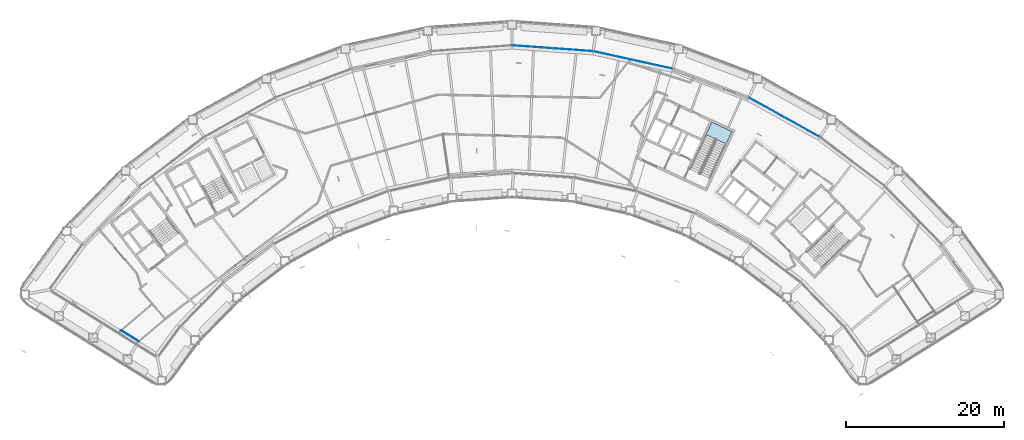
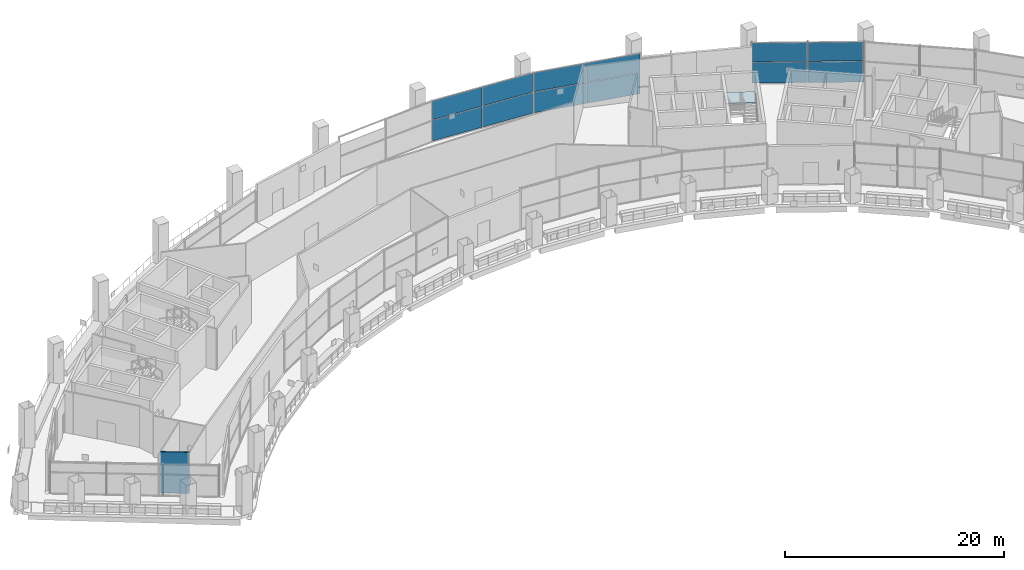
# One storey, part 15 of 28: 12 plates, 1 slab, 1 wall, 4 elements without a shape of their own.
"""IFC4 building model written with IfcOpenShell, lengths in metres."""

from ifc_helpers import new_model, si_unit, direction, frame, frame_2d, origin, origin_2d, place, context, subcontext, project, spatial, polyline, rectangle, outline, extrude, material, layer, layer_set, type_object, element, aggregate, save


model = new_model("IFC4")

# Units and contexts
model_context = context("Model", 3, precision=1e-05, world=origin(), true_north=direction((0.0, 1.0)))
body_context = subcontext(model_context, "Body", "Model", "MODEL_VIEW")
ifc_project = project(units=[si_unit("LENGTHUNIT", "METRE"), si_unit("AREAUNIT", "SQUARE_METRE"), si_unit("VOLUMEUNIT", "CUBIC_METRE"), si_unit("PLANEANGLEUNIT", "RADIAN"), si_unit("MASSUNIT", "GRAM", prefix="KILO")], contexts=[model_context])

# Site, building, storey
site_placement = place(None, origin())
site = spatial("IfcSite", under=ifc_project, at=site_placement, CompositionType="ELEMENT")
building_placement = place(site_placement, origin())
building = spatial("IfcBuilding", under=site, at=building_placement, Name="Tuul Gate Civic Tower", CompositionType="ELEMENT")
storey_placement = place(building_placement, frame((0.0, 0.0, 128.699951171875)))
storey = spatial("IfcBuildingStorey", under=building, at=storey_placement, Name="Sky garden level 1", CompositionType="ELEMENT", Elevation=128.699951171875)

# Curtain wall, plates
ifc_material_1 = material(Name="Aluminium", Category="aluminium")
ifc_layer_1 = layer(ifc_material_1, 0.199951171875)
ifc_layer_set_1 = layer_set([ifc_layer_1], Name="Aluminium")
curtain_wall_type = type_object("IfcCurtainWallType", Name="Curtain wall CW3", PredefinedType="NOTDEFINED", material=ifc_layer_set_1)
curtain_wall_1_placement = place(storey_placement, origin())
curtain_wall_1 = element("IfcCurtainWall", 1, at=curtain_wall_1_placement, inside=storey, type_object=curtain_wall_type, Name="Curtain wall CW3", PredefinedType="NOTDEFINED")
ifc_material_2 = material(Name="Insulated glass", Category="glass")
ifc_layer_2 = layer(ifc_material_2, 0.031982421875)
ifc_layer_set_2 = layer_set([ifc_layer_2], Name="Insulated glass")
plate_type = type_object("IfcPlateType", Name="CW3 panel", PredefinedType="CURTAIN_PANEL", material=ifc_layer_set_2)
plate_1_placement = place(storey_placement, frame((46.54052734375, 0.73681640625, 0.06005859375), z_axis=(0.0, 0.0, 1.0), x_axis=(-0.874610249079, 0.484826682646, 0.0)))
plate_1 = element("IfcPlate", 2, at=plate_1_placement, type_object=plate_type, Name="Panel", PredefinedType="CURTAIN_PANEL", context=body_context, shape_type="SweptSolid", body=[
    extrude(rectangle(XDim=5.060302734375, YDim=0.031982421875, at=origin_2d()), origin(), (0.0, 0.0, 1.0), 2.31005859375),
])
plate_2_placement = place(storey_placement, frame((46.54052734375, 0.73681640625, 2.43017578125), z_axis=(0.0, 0.0, 1.0), x_axis=(-0.874610249079, 0.484826682646, 0.0)))
plate_2 = element("IfcPlate", 3, at=plate_2_placement, type_object=plate_type, Name="Panel", PredefinedType="CURTAIN_PANEL", context=body_context, shape_type="SweptSolid", body=[
    extrude(rectangle(XDim=5.060302734375, YDim=0.031982421875, at=origin_2d()), origin(), (0.0, 0.0, 1.0), 2.110107421875),
])
plate_3_placement = place(storey_placement, frame((42.062255859375, 3.21923828125, 0.06005859375), z_axis=(0.0, 0.0, 1.0), x_axis=(-0.874610249079, 0.484826682646, 0.0)))
plate_3 = element("IfcPlate", 4, at=plate_3_placement, type_object=plate_type, Name="Panel", PredefinedType="CURTAIN_PANEL", context=body_context, shape_type="SweptSolid", body=[
    extrude(rectangle(XDim=5.060302734375, YDim=0.031982421875, at=origin_2d()), origin(), (0.0, 0.0, 1.0), 2.31005859375),
])
plate_4_placement = place(storey_placement, frame((42.062255859375, 3.21923828125, 2.43017578125), z_axis=(0.0, 0.0, 1.0), x_axis=(-0.874610249079, 0.484826682646, 0.0)))
plate_4 = element("IfcPlate", 5, at=plate_4_placement, type_object=plate_type, Name="Panel", PredefinedType="CURTAIN_PANEL", context=body_context, shape_type="SweptSolid", body=[
    extrude(rectangle(XDim=5.060302734375, YDim=0.031982421875, at=origin_2d()), origin(), (0.0, 0.0, 1.0), 2.110107421875),
])
aggregate(curtain_wall_1, [plate_1, plate_2, plate_3, plate_4])

curtain_wall_2_placement = place(storey_placement, origin())
curtain_wall_2 = element("IfcCurtainWall", 6, at=curtain_wall_2_placement, inside=storey, type_object=curtain_wall_type, Name="Curtain wall CW3", PredefinedType="NOTDEFINED")
plate_5_placement = place(storey_placement, frame((27.632568359375, 8.675537109375, 0.06005859375), z_axis=(0.0, 0.0, 1.0), x_axis=(-0.976562498954, 0.215234025277, 0.0)))
plate_5 = element("IfcPlate", 7, at=plate_5_placement, type_object=plate_type, Name="Panel", PredefinedType="CURTAIN_PANEL", context=body_context, shape_type="SweptSolid", body=[
    extrude(rectangle(XDim=5.060302734375, YDim=0.031982421875, at=origin_2d()), origin(), (0.0, 0.0, 1.0), 2.31005859375),
])
plate_6_placement = place(storey_placement, frame((27.632568359375, 8.675537109375, 2.43017578125), z_axis=(0.0, 0.0, 1.0), x_axis=(-0.976562498954, 0.215234025277, 0.0)))
plate_6 = element("IfcPlate", 8, at=plate_6_placement, type_object=plate_type, Name="Panel", PredefinedType="CURTAIN_PANEL", context=body_context, shape_type="SweptSolid", body=[
    extrude(rectangle(XDim=5.060302734375, YDim=0.031982421875, at=origin_2d()), origin(), (0.0, 0.0, 1.0), 2.110107421875),
])
plate_7_placement = place(storey_placement, frame((22.63232421875, 9.777587890625, 0.06005859375), z_axis=(0.0, 0.0, 1.0), x_axis=(-0.976562498954, 0.215234025277, 0.0)))
plate_7 = element("IfcPlate", 9, at=plate_7_placement, type_object=plate_type, Name="Panel", PredefinedType="CURTAIN_PANEL", context=body_context, shape_type="SweptSolid", body=[
    extrude(rectangle(XDim=5.060302734375, YDim=0.031982421875, at=origin_2d()), origin(), (0.0, 0.0, 1.0), 2.31005859375),
])
plate_8_placement = place(storey_placement, frame((22.63232421875, 9.777587890625, 2.43017578125), z_axis=(0.0, 0.0, 1.0), x_axis=(-0.976562498954, 0.215234025277, 0.0)))
plate_8 = element("IfcPlate", 10, at=plate_8_placement, type_object=plate_type, Name="Panel", PredefinedType="CURTAIN_PANEL", context=body_context, shape_type="SweptSolid", body=[
    extrude(rectangle(XDim=5.060302734375, YDim=0.031982421875, at=origin_2d()), origin(), (0.0, 0.0, 1.0), 2.110107421875),
])
aggregate(curtain_wall_2, [plate_5, plate_6, plate_7, plate_8])

curtain_wall_3_placement = place(storey_placement, origin())
curtain_wall_3 = element("IfcCurtainWall", 11, at=curtain_wall_3_placement, inside=storey, type_object=curtain_wall_type, Name="Curtain wall CW3", PredefinedType="NOTDEFINED")
plate_9_placement = place(storey_placement, frame((17.51953125, 10.522216796875, 0.06005859375), z_axis=(0.0, 0.0, 1.0), x_axis=(-0.997381245118, 0.072323245822, 0.0)))
plate_9 = element("IfcPlate", 12, at=plate_9_placement, type_object=plate_type, Name="Panel", PredefinedType="CURTAIN_PANEL", context=body_context, shape_type="SweptSolid", body=[
    extrude(rectangle(XDim=5.060546875, YDim=0.031982421875, at=origin_2d()), origin(), (0.0, 0.0, 1.0), 2.31005859375),
])
plate_10_placement = place(storey_placement, frame((17.51953125, 10.522216796875, 2.43017578125), z_axis=(0.0, 0.0, 1.0), x_axis=(-0.997381245118, 0.072323245822, 0.0)))
plate_10 = element("IfcPlate", 13, at=plate_10_placement, type_object=plate_type, Name="Panel", PredefinedType="CURTAIN_PANEL", context=body_context, shape_type="SweptSolid", body=[
    extrude(rectangle(XDim=5.060546875, YDim=0.031982421875, at=origin_2d()), origin(), (0.0, 0.0, 1.0), 2.110107421875),
])
plate_11_placement = place(storey_placement, frame((12.412353515625, 10.892578125, 0.06005859375), z_axis=(0.0, 0.0, 1.0), x_axis=(-0.997381245118, 0.072323245822, 0.0)))
plate_11 = element("IfcPlate", 14, at=plate_11_placement, type_object=plate_type, Name="Panel", PredefinedType="CURTAIN_PANEL", context=body_context, shape_type="SweptSolid", body=[
    extrude(rectangle(XDim=5.060546875, YDim=0.031982421875, at=origin_2d()), origin(), (0.0, 0.0, 1.0), 2.31005859375),
])
plate_12_placement = place(storey_placement, frame((12.412353515625, 10.892578125, 2.43017578125), z_axis=(0.0, 0.0, 1.0), x_axis=(-0.997381245118, 0.072323245822, 0.0)))
plate_12 = element("IfcPlate", 15, at=plate_12_placement, type_object=plate_type, Name="Panel", PredefinedType="CURTAIN_PANEL", context=body_context, shape_type="SweptSolid", body=[
    extrude(rectangle(XDim=5.060546875, YDim=0.031982421875, at=origin_2d()), origin(), (0.0, 0.0, 1.0), 2.110107421875),
])
aggregate(curtain_wall_3, [plate_9, plate_10, plate_11, plate_12])

# Stair, slab
ifc_material_3 = material(Name="Concrete C40/50", Category="concrete")
stair_type = type_object("IfcStairType", Name="Exit stair", PredefinedType="HALF_TURN_STAIR", material=ifc_material_3)
stair_placement = place(storey_placement, origin())
stair = element("IfcStair", 16, at=stair_placement, inside=storey, type_object=stair_type, Name="Sky garden level 1 ST-4", PredefinedType="HALF_TURN_STAIR")
ifc_material_4 = material(Name="Concrete C40/50", Category="concrete")
ifc_layer_3 = layer(ifc_material_4, 0.199951171875)
ifc_layer_set_3 = layer_set([ifc_layer_3], Name="Concrete C40/50")
slab_type = type_object("IfcSlabType", Name="Exit stair landing", PredefinedType="LANDING", material=ifc_layer_set_3)
slab_placement = place(storey_placement, frame((0.0, 0.0, 2.300048828125)))
slab = element("IfcSlab", 17, at=slab_placement, type_object=slab_type, Name="ST-4 landing 1", PredefinedType="LANDING", context=body_context, shape_type="SweptSolid", body=[
    extrude(outline(polyline([(36.919189453125, -1.41455078125), (34.3798828125, -0.23046875), (35.1201171875, 1.35693359375), (37.659423828125, 0.173095703125), (36.919189453125, -1.41455078125)])), origin(), (0.0, 0.0, 1.0), 0.199951171875),
])
aggregate(stair, [slab])

# Wall
ifc_material_5 = material(Name="Gypsum board partition")
ifc_layer_4 = layer(ifc_material_5, 0.10009765625)
ifc_layer_set_4 = layer_set([ifc_layer_4], Name="Gypsum board partition")
wall_type = type_object("IfcWallType", Name="Partition P100", PredefinedType="PARTITIONING", material=ifc_layer_set_4)
wall_placement = place(storey_placement, frame((-37.401611328125, -26.3955078125, 0.0), z_axis=(0.0, 0.0, 1.0), x_axis=(-0.848055419428, 0.529907544369, 0.0)))
element("IfcWall", 18, at=wall_placement, inside=storey, type_object=wall_type, Name="p052", PredefinedType="PARTITIONING", context=body_context, shape_type="SweptSolid", body=[
    extrude(rectangle(XDim=2.641357421875, YDim=0.10009765625, at=frame_2d((1.32080078125, 0.0))), origin(), (0.0, 0.0, 1.0), 4.60009765625),
])

save(model, "model.ifc")
